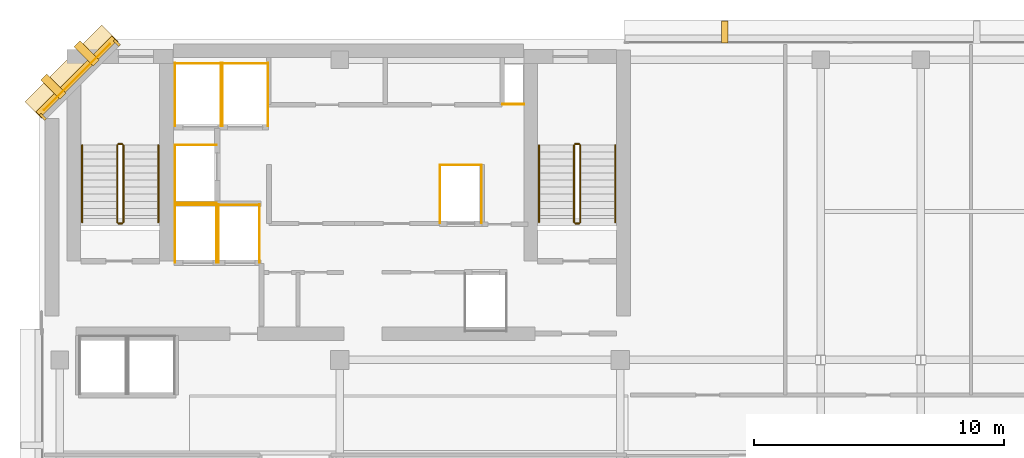
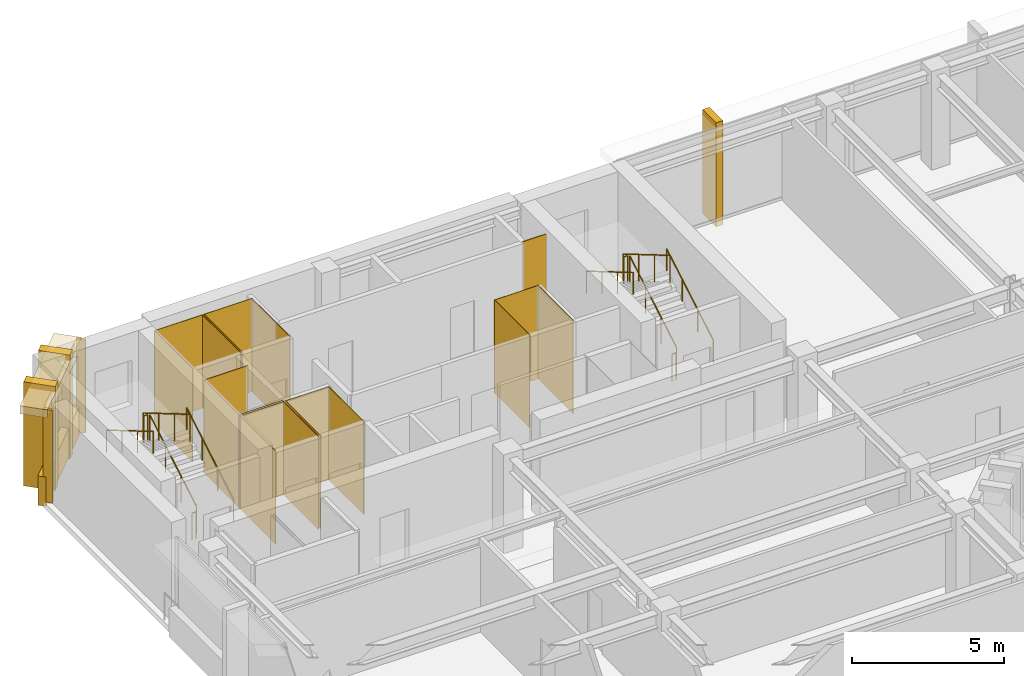
# One storey, part 10 of 11: 27 coverings, 12 railings.
"""IFC4 building model written with IfcOpenShell, lengths in metres."""

from ifc_helpers import new_model, si_unit, direction, frame, origin, origin_2d, place, context, subcontext, project, spatial, polyline, rectangle, circle, outline, extrude, material, layer, layer_set, type_object, element, save


model = new_model("IFC4")

# Units and contexts
model_context = context("Model", 3, precision=1e-05, world=origin(), true_north=direction((0.0, 1.0)))
body_context = subcontext(model_context, "Body", "Model", "MODEL_VIEW")
ifc_project = project(units=[si_unit("LENGTHUNIT", "METRE"), si_unit("AREAUNIT", "SQUARE_METRE"), si_unit("VOLUMEUNIT", "CUBIC_METRE"), si_unit("PLANEANGLEUNIT", "RADIAN"), si_unit("MASSUNIT", "GRAM", prefix="KILO")], contexts=[model_context])

# Site, building, storey
site_placement = place(None, origin())
site = spatial("IfcSite", under=ifc_project, at=site_placement, CompositionType="ELEMENT")
building_placement = place(site_placement, origin())
building = spatial("IfcBuilding", under=site, at=building_placement, Name="Kefirva Bronze Tower", CompositionType="ELEMENT")
storey_placement = place(building_placement, frame((0.0, 0.0, 299.969970703125)))
storey = spatial("IfcBuildingStorey", under=building, at=storey_placement, Name="L73", CompositionType="ELEMENT", Elevation=299.969970703125)

# Coverings
ifc_material_1 = material(Name="Bronze anodised aluminium", Category="aluminium")
ifc_layer_1 = layer(ifc_material_1, 0.02001953125, Name="Bronze anodised aluminium")
ifc_layer_set_1 = layer_set([ifc_layer_1], Name="Bronze anodised aluminium")
covering_type_1 = type_object("IfcCoveringType", Name="Anodised Bronze Spandrel Cladding 20mm", PredefinedType="CLADDING", material=ifc_layer_set_1)
covering_1_placement = place(storey_placement, frame((1.492919921875, 44.507080078125, 3.320068359375), z_axis=(0.0, 0.0, 1.0), x_axis=(-0.707106781187, -0.707106781187, 0.0)))
element("IfcCovering", 1, at=covering_1_placement, inside=storey, type_object=covering_type_1, Name="L73 Bronze Spandrel Cladding 6", PredefinedType="CLADDING", context=body_context, shape_type="SweptSolid", body=[
    extrude(rectangle(XDim=3.719482421875, YDim=0.02001953125, at=origin_2d()), origin(), (0.0, 0.0, 1.0), 0.39990234375),
])
for number, where, z_axis, x_axis, name in (
    (2, (3.08837890625, 45.862060546875, 0.0), (0.0, 0.0, 1.0), (-0.707106781187, -0.707106781187, 0.0), "L73 Facade Joint Closure Panel 6S"),
    (3, (0.137939453125, 42.91162109375, 0.0), (0.0, 0.0, 1.0), (-0.707106781187, -0.707106781187, 0.0), "L73 Facade Joint Closure Panel 6E"),
):
    element("IfcCovering", number, at=place(storey_placement, frame(where, z_axis=z_axis, x_axis=x_axis)), inside=storey, type_object=covering_type_1, Name=name, PredefinedType="CLADDING", context=body_context, shape_type="SweptSolid", body=[
        extrude(rectangle(XDim=0.10009765625, YDim=0.320068359375, at=origin_2d()), origin(), (0.0, 0.0, 1.0), 3.739990234375),
    ])
covering_2_placement = place(storey_placement, frame((1.4716796875, 44.5283203125, -0.16015625), z_axis=(0.0, 0.0, 1.0), x_axis=(-0.707106781187, -0.707106781187, 0.0)))
element("IfcCovering", 4, at=covering_2_placement, inside=storey, type_object=covering_type_1, Name="L73 Streamline Horizontal Spandrel Band 9", PredefinedType="CLADDING", context=body_context, shape_type="SweptSolid", body=[
    extrude(rectangle(XDim=4.28271484375, YDim=0.280029296875, at=origin_2d()), origin(), (0.0, 0.0, 1.0), 1.179931640625),
])
covering_3_placement = place(storey_placement, origin())
element("IfcCovering", 5, at=covering_3_placement, inside=storey, type_object=covering_type_1, Name="L73 Lift FF1 Hoistway Liner N", PredefinedType="CLADDING", context=body_context, shape_type="SweptSolid", body=[
    extrude(outline(polyline([(5.39990234375, 39.389892578125), (7.080078125, 39.389892578125), (7.080078125, 39.409912109375), (5.39990234375, 39.409912109375), (5.39990234375, 39.389892578125)])), origin(), (0.0, 0.0, 1.0), 3.739990234375),
])
covering_4_placement = place(storey_placement, origin())
element("IfcCovering", 6, at=covering_4_placement, inside=storey, type_object=covering_type_1, Name="L73 Lift FF1 Hoistway Liner W", PredefinedType="CLADDING", context=body_context, shape_type="SweptSolid", body=[
    extrude(outline(polyline([(5.409912109375, 37.080078125), (5.429931640625, 37.080078125), (5.429931640625, 39.419921875), (5.409912109375, 39.419921875), (5.409912109375, 37.080078125)])), origin(), (0.0, 0.0, 1.0), 3.739990234375),
])
covering_5_placement = place(storey_placement, origin())
element("IfcCovering", 7, at=covering_5_placement, inside=storey, type_object=covering_type_1, Name="L73 Lift FF1 Hoistway Liner E", PredefinedType="CLADDING", context=body_context, shape_type="SweptSolid", body=[
    extrude(outline(polyline([(7.050048828125, 37.080078125), (7.070068359375, 37.080078125), (7.070068359375, 39.419921875), (7.050048828125, 39.419921875), (7.050048828125, 37.080078125)])), origin(), (0.0, 0.0, 1.0), 3.739990234375),
])
covering_6_placement = place(storey_placement, origin())
element("IfcCovering", 8, at=covering_6_placement, inside=storey, type_object=covering_type_1, Name="L73 Lift FF2 Hoistway Liner N", PredefinedType="CLADDING", context=body_context, shape_type="SweptSolid", body=[
    extrude(outline(polyline([(7.1201171875, 39.389892578125), (8.800048828125, 39.389892578125), (8.800048828125, 39.409912109375), (7.1201171875, 39.409912109375), (7.1201171875, 39.389892578125)])), origin(), (0.0, 0.0, 1.0), 3.739990234375),
])
covering_7_placement = place(storey_placement, origin())
element("IfcCovering", 9, at=covering_7_placement, inside=storey, type_object=covering_type_1, Name="L73 Lift FF2 Hoistway Liner W", PredefinedType="CLADDING", context=body_context, shape_type="SweptSolid", body=[
    extrude(outline(polyline([(7.1298828125, 37.080078125), (7.14990234375, 37.080078125), (7.14990234375, 39.419921875), (7.1298828125, 39.419921875), (7.1298828125, 37.080078125)])), origin(), (0.0, 0.0, 1.0), 3.739990234375),
])
covering_8_placement = place(storey_placement, origin())
element("IfcCovering", 10, at=covering_8_placement, inside=storey, type_object=covering_type_1, Name="L73 Lift FF2 Hoistway Liner E", PredefinedType="CLADDING", context=body_context, shape_type="SweptSolid", body=[
    extrude(outline(polyline([(8.77001953125, 37.080078125), (8.7900390625, 37.080078125), (8.7900390625, 39.419921875), (8.77001953125, 39.419921875), (8.77001953125, 37.080078125)])), origin(), (0.0, 0.0, 1.0), 3.739990234375),
])
covering_9_placement = place(storey_placement, origin())
element("IfcCovering", 11, at=covering_9_placement, inside=storey, type_object=covering_type_1, Name="L73 Lift SV1 Hoistway Liner N", PredefinedType="CLADDING", context=body_context, shape_type="SweptSolid", body=[
    extrude(outline(polyline([(5.39990234375, 45.0400390625), (7.260009765625, 45.0400390625), (7.260009765625, 45.06005859375), (5.39990234375, 45.06005859375), (5.39990234375, 45.0400390625)])), origin(), (0.0, 0.0, 1.0), 3.739990234375),
])
covering_10_placement = place(storey_placement, origin())
element("IfcCovering", 12, at=covering_10_placement, inside=storey, type_object=covering_type_1, Name="L73 Lift SV1 Hoistway Liner W", PredefinedType="CLADDING", context=body_context, shape_type="SweptSolid", body=[
    extrude(outline(polyline([(5.409912109375, 42.530029296875), (5.429931640625, 42.530029296875), (5.429931640625, 45.070068359375), (5.409912109375, 45.070068359375), (5.409912109375, 42.530029296875)])), origin(), (0.0, 0.0, 1.0), 3.739990234375),
])
covering_11_placement = place(storey_placement, origin())
element("IfcCovering", 13, at=covering_11_placement, inside=storey, type_object=covering_type_1, Name="L73 Lift SV1 Hoistway Liner E", PredefinedType="CLADDING", context=body_context, shape_type="SweptSolid", body=[
    extrude(outline(polyline([(7.22998046875, 42.530029296875), (7.25, 42.530029296875), (7.25, 45.070068359375), (7.22998046875, 45.070068359375), (7.22998046875, 42.530029296875)])), origin(), (0.0, 0.0, 1.0), 3.739990234375),
])
covering_12_placement = place(storey_placement, origin())
element("IfcCovering", 14, at=covering_12_placement, inside=storey, type_object=covering_type_1, Name="L73 Lift SV2 Hoistway Liner N", PredefinedType="CLADDING", context=body_context, shape_type="SweptSolid", body=[
    extrude(outline(polyline([(7.280029296875, 45.0400390625), (9.139892578125, 45.0400390625), (9.139892578125, 45.06005859375), (7.280029296875, 45.06005859375), (7.280029296875, 45.0400390625)])), origin(), (0.0, 0.0, 1.0), 3.739990234375),
])
covering_13_placement = place(storey_placement, origin())
element("IfcCovering", 15, at=covering_13_placement, inside=storey, type_object=covering_type_1, Name="L73 Lift SV2 Hoistway Liner W", PredefinedType="CLADDING", context=body_context, shape_type="SweptSolid", body=[
    extrude(outline(polyline([(7.2900390625, 42.530029296875), (7.31005859375, 42.530029296875), (7.31005859375, 45.070068359375), (7.2900390625, 45.070068359375), (7.2900390625, 42.530029296875)])), origin(), (0.0, 0.0, 1.0), 3.739990234375),
])
covering_14_placement = place(storey_placement, origin())
element("IfcCovering", 16, at=covering_14_placement, inside=storey, type_object=covering_type_1, Name="L73 Lift SV2 Hoistway Liner E", PredefinedType="CLADDING", context=body_context, shape_type="SweptSolid", body=[
    extrude(outline(polyline([(9.110107421875, 42.530029296875), (9.1298828125, 42.530029296875), (9.1298828125, 45.070068359375), (9.110107421875, 45.070068359375), (9.110107421875, 42.530029296875)])), origin(), (0.0, 0.0, 1.0), 3.739990234375),
])
covering_15_placement = place(storey_placement, origin())
element("IfcCovering", 17, at=covering_15_placement, inside=storey, type_object=covering_type_1, Name="L73 Lift HP2 Hoistway Liner N", PredefinedType="CLADDING", context=body_context, shape_type="SweptSolid", body=[
    extrude(outline(polyline([(15.97998046875, 40.969970703125), (17.669921875, 40.969970703125), (17.669921875, 40.989990234375), (15.97998046875, 40.989990234375), (15.97998046875, 40.969970703125)])), origin(), (0.0, 0.0, 1.0), 3.739990234375),
])
covering_16_placement = place(storey_placement, origin())
element("IfcCovering", 18, at=covering_16_placement, inside=storey, type_object=covering_type_1, Name="L73 Lift HP2 Hoistway Liner W", PredefinedType="CLADDING", context=body_context, shape_type="SweptSolid", body=[
    extrude(outline(polyline([(15.989990234375, 38.659912109375), (16.010009765625, 38.659912109375), (16.010009765625, 41.0), (15.989990234375, 41.0), (15.989990234375, 38.659912109375)])), origin(), (0.0, 0.0, 1.0), 3.739990234375),
])
covering_17_placement = place(storey_placement, origin())
element("IfcCovering", 19, at=covering_17_placement, inside=storey, type_object=covering_type_1, Name="L73 Lift HP2 Hoistway Liner E", PredefinedType="CLADDING", context=body_context, shape_type="SweptSolid", body=[
    extrude(outline(polyline([(17.639892578125, 38.659912109375), (17.659912109375, 38.659912109375), (17.659912109375, 41.0), (17.639892578125, 41.0), (17.639892578125, 38.659912109375)])), origin(), (0.0, 0.0, 1.0), 3.739990234375),
])
covering_18_placement = place(storey_placement, origin())
element("IfcCovering", 20, at=covering_18_placement, inside=storey, type_object=covering_type_1, Name="L73 Lift HP3 Hoistway Liner N", PredefinedType="CLADDING", context=body_context, shape_type="SweptSolid", body=[
    extrude(outline(polyline([(5.39990234375, 41.77001953125), (7.080078125, 41.77001953125), (7.080078125, 41.7900390625), (5.39990234375, 41.7900390625), (5.39990234375, 41.77001953125)])), origin(), (0.0, 0.0, 1.0), 3.739990234375),
])
covering_19_placement = place(storey_placement, origin())
element("IfcCovering", 21, at=covering_19_placement, inside=storey, type_object=covering_type_1, Name="L73 Lift HP3 Hoistway Liner S", PredefinedType="CLADDING", context=body_context, shape_type="SweptSolid", body=[
    extrude(outline(polyline([(5.39990234375, 39.469970703125), (7.080078125, 39.469970703125), (7.080078125, 39.489990234375), (5.39990234375, 39.489990234375), (5.39990234375, 39.469970703125)])), origin(), (0.0, 0.0, 1.0), 3.739990234375),
])
covering_20_placement = place(storey_placement, origin())
element("IfcCovering", 22, at=covering_20_placement, inside=storey, type_object=covering_type_1, Name="L73 Lift HP3 Hoistway Liner W", PredefinedType="CLADDING", context=body_context, shape_type="SweptSolid", body=[
    extrude(outline(polyline([(5.409912109375, 39.4599609375), (5.429931640625, 39.4599609375), (5.429931640625, 41.800048828125), (5.409912109375, 41.800048828125), (5.409912109375, 39.4599609375)])), origin(), (0.0, 0.0, 1.0), 3.739990234375),
])
covering_21_placement = place(storey_placement, origin())
element("IfcCovering", 23, at=covering_21_placement, inside=storey, type_object=covering_type_1, Name="L73 Core MEP Riser Shaft Liner South", PredefinedType="CLADDING", context=body_context, shape_type="SweptSolid", body=[
    extrude(outline(polyline([(18.47998046875, 43.39990234375), (19.360107421875, 43.39990234375), (19.360107421875, 43.429931640625), (18.47998046875, 43.429931640625), (18.47998046875, 43.39990234375)])), origin(), (0.0, 0.0, 1.0), 3.739990234375),
])

# Railings
ifc_material_2 = material(Name="Stainless steel 316", Category="steel")
railing_type_1 = type_object("IfcRailingType", Name="Interior Stair Guardrail 1100mm", PredefinedType="GUARDRAIL", material=ifc_material_2)
railing_1_placement = place(storey_placement, frame((3.35009765625, 38.699951171875, 0.1650390625)))
element("IfcRailing", 24, at=railing_1_placement, inside=storey, type_object=railing_type_1, Name="L73 ST-1 stair guard 1", PredefinedType="GUARDRAIL", context=body_context, shape_type="SweptSolid", body=[
    extrude(circle(Radius=0.02392578125, at=origin_2d()), frame((0.0, 0.0, 1.076171875), z_axis=(0.0, 0.861551262678, 0.507670583921), x_axis=(-1.0, 0.0, 0.0)), (0.0, 0.0, 1.0), 3.574951171875),
    extrude(circle(Radius=0.02099609375, at=origin_2d()), origin(), (0.0, 0.0, 1.0), 1.052001953125),
    extrude(circle(Radius=0.02099609375, at=origin_2d()), frame((0.0, 1.026611328125, 0.60498046875)), (0.0, 0.0, 1.0), 1.052001953125),
    extrude(circle(Radius=0.02099609375, at=origin_2d()), frame((0.0, 2.053466796875, 1.2099609375)), (0.0, 0.0, 1.0), 1.052001953125),
    extrude(circle(Radius=0.02099609375, at=origin_2d()), frame((0.0, 3.080078125, 1.81494140625)), (0.0, 0.0, 1.0), 1.052001953125),
])
railing_2_placement = place(storey_placement, frame((3.300048828125, 41.830078125, 1.97998046875)))
element("IfcRailing", 25, at=railing_2_placement, inside=storey, type_object=railing_type_1, Name="L73 ST-1 stair guard 2", PredefinedType="GUARDRAIL", context=body_context, shape_type="SweptSolid", body=[
    extrude(circle(Radius=0.02392578125, at=origin_2d()), frame((0.0, 0.0, 1.076171875), z_axis=(-1.0, 0.0, 0.0), x_axis=(0.0, -1.0, 0.0)), (0.0, 0.0, 1.0), 0.150146484375),
    extrude(circle(Radius=0.02099609375, at=origin_2d()), origin(), (0.0, 0.0, 1.0), 1.052001953125),
    extrude(circle(Radius=0.02099609375, at=origin_2d()), frame((-0.150146484375, 0.0, 0.0)), (0.0, 0.0, 1.0), 1.052001953125),
])
railing_3_placement = place(storey_placement, frame((3.10009765625, 41.780029296875, 2.14501953125)))
element("IfcRailing", 26, at=railing_3_placement, inside=storey, type_object=railing_type_1, Name="L73 ST-1 stair guard 3", PredefinedType="GUARDRAIL", context=body_context, shape_type="SweptSolid", body=[
    extrude(circle(Radius=0.02392578125, at=origin_2d()), frame((0.0, 0.0, 1.076171875), z_axis=(0.0, -0.861551262678, 0.507670583921), x_axis=(1.0, 0.0, 0.0)), (0.0, 0.0, 1.0), 3.574951171875),
    extrude(circle(Radius=0.02099609375, at=origin_2d()), origin(), (0.0, 0.0, 1.0), 1.052001953125),
    extrude(circle(Radius=0.02099609375, at=origin_2d()), frame((0.0, -1.026611328125, 0.60498046875)), (0.0, 0.0, 1.0), 1.052001953125),
    extrude(circle(Radius=0.02099609375, at=origin_2d()), frame((0.0, -2.053466796875, 1.2099609375)), (0.0, 0.0, 1.0), 1.052001953125),
    extrude(circle(Radius=0.02099609375, at=origin_2d()), frame((0.0, -3.080078125, 1.81494140625)), (0.0, 0.0, 1.0), 1.052001953125),
])
railing_4_placement = place(storey_placement, frame((3.300048828125, 38.64990234375, 0.0)))
element("IfcRailing", 27, at=railing_4_placement, inside=storey, type_object=railing_type_1, Name="L73 ST-1 stair guard 4", PredefinedType="GUARDRAIL", context=body_context, shape_type="SweptSolid", body=[
    extrude(circle(Radius=0.02392578125, at=origin_2d()), frame((0.0, 0.0, 1.076171875), z_axis=(-1.0, 0.0, 0.0), x_axis=(0.0, -1.0, 0.0)), (0.0, 0.0, 1.0), 0.150146484375),
    extrude(circle(Radius=0.02099609375, at=origin_2d()), origin(), (0.0, 0.0, 1.0), 1.052001953125),
    extrude(circle(Radius=0.02099609375, at=origin_2d()), frame((-0.150146484375, 0.0, 0.0)), (0.0, 0.0, 1.0), 1.052001953125),
])
railing_5_placement = place(storey_placement, frame((21.60009765625, 38.699951171875, 0.1650390625)))
element("IfcRailing", 28, at=railing_5_placement, inside=storey, type_object=railing_type_1, Name="L73 ST-2 stair guard 1", PredefinedType="GUARDRAIL", context=body_context, shape_type="SweptSolid", body=[
    extrude(circle(Radius=0.02392578125, at=origin_2d()), frame((0.0, 0.0, 1.076171875), z_axis=(0.0, 0.861551262678, 0.507670583921), x_axis=(-1.0, 0.0, 0.0)), (0.0, 0.0, 1.0), 3.574951171875),
    extrude(circle(Radius=0.02099609375, at=origin_2d()), origin(), (0.0, 0.0, 1.0), 1.052001953125),
    extrude(circle(Radius=0.02099609375, at=origin_2d()), frame((0.0, 1.026611328125, 0.60498046875)), (0.0, 0.0, 1.0), 1.052001953125),
    extrude(circle(Radius=0.02099609375, at=origin_2d()), frame((0.0, 2.053466796875, 1.2099609375)), (0.0, 0.0, 1.0), 1.052001953125),
    extrude(circle(Radius=0.02099609375, at=origin_2d()), frame((0.0, 3.080078125, 1.81494140625)), (0.0, 0.0, 1.0), 1.052001953125),
])
railing_6_placement = place(storey_placement, frame((21.550048828125, 41.830078125, 1.97998046875)))
element("IfcRailing", 29, at=railing_6_placement, inside=storey, type_object=railing_type_1, Name="L73 ST-2 stair guard 2", PredefinedType="GUARDRAIL", context=body_context, shape_type="SweptSolid", body=[
    extrude(circle(Radius=0.02392578125, at=origin_2d()), frame((0.0, 0.0, 1.076171875), z_axis=(-1.0, 0.0, 0.0), x_axis=(0.0, -1.0, 0.0)), (0.0, 0.0, 1.0), 0.150146484375),
    extrude(circle(Radius=0.02099609375, at=origin_2d()), origin(), (0.0, 0.0, 1.0), 1.052001953125),
    extrude(circle(Radius=0.02099609375, at=origin_2d()), frame((-0.150146484375, 0.0, 0.0)), (0.0, 0.0, 1.0), 1.052001953125),
])
railing_7_placement = place(storey_placement, frame((21.35009765625, 41.780029296875, 2.14501953125)))
element("IfcRailing", 30, at=railing_7_placement, inside=storey, type_object=railing_type_1, Name="L73 ST-2 stair guard 3", PredefinedType="GUARDRAIL", context=body_context, shape_type="SweptSolid", body=[
    extrude(circle(Radius=0.02392578125, at=origin_2d()), frame((0.0, 0.0, 1.076171875), z_axis=(0.0, -0.861551262678, 0.507670583921), x_axis=(1.0, 0.0, 0.0)), (0.0, 0.0, 1.0), 3.574951171875),
    extrude(circle(Radius=0.02099609375, at=origin_2d()), origin(), (0.0, 0.0, 1.0), 1.052001953125),
    extrude(circle(Radius=0.02099609375, at=origin_2d()), frame((0.0, -1.026611328125, 0.60498046875)), (0.0, 0.0, 1.0), 1.052001953125),
    extrude(circle(Radius=0.02099609375, at=origin_2d()), frame((0.0, -2.053466796875, 1.2099609375)), (0.0, 0.0, 1.0), 1.052001953125),
    extrude(circle(Radius=0.02099609375, at=origin_2d()), frame((0.0, -3.080078125, 1.81494140625)), (0.0, 0.0, 1.0), 1.052001953125),
])
railing_8_placement = place(storey_placement, frame((21.550048828125, 38.64990234375, 0.0)))
element("IfcRailing", 31, at=railing_8_placement, inside=storey, type_object=railing_type_1, Name="L73 ST-2 stair guard 4", PredefinedType="GUARDRAIL", context=body_context, shape_type="SweptSolid", body=[
    extrude(circle(Radius=0.02392578125, at=origin_2d()), frame((0.0, 0.0, 1.076171875), z_axis=(-1.0, 0.0, 0.0), x_axis=(0.0, -1.0, 0.0)), (0.0, 0.0, 1.0), 0.150146484375),
    extrude(circle(Radius=0.02099609375, at=origin_2d()), origin(), (0.0, 0.0, 1.0), 1.052001953125),
    extrude(circle(Radius=0.02099609375, at=origin_2d()), frame((-0.150146484375, 0.0, 0.0)), (0.0, 0.0, 1.0), 1.052001953125),
])
railing_type_2 = type_object("IfcRailingType", Name="Stair Pitch Handrail 900mm", PredefinedType="HANDRAIL", material=ifc_material_2)
railing_9_placement = place(storey_placement, frame((4.75, 38.699951171875, 0.1650390625)))
element("IfcRailing", 32, at=railing_9_placement, inside=storey, type_object=railing_type_2, Name="L73 ST-1 stair handrail 1", PredefinedType="HANDRAIL", context=body_context, shape_type="SweptSolid", body=[
    extrude(circle(Radius=0.02392578125, at=origin_2d()), frame((0.0, 0.0, 0.8759765625), z_axis=(0.0, 0.861551262678, 0.507670583921), x_axis=(-1.0, 0.0, 0.0)), (0.0, 0.0, 1.0), 3.574951171875),
    extrude(circle(Radius=0.02099609375, at=origin_2d()), origin(), (0.0, 0.0, 1.0), 0.851806640625),
    extrude(circle(Radius=0.02099609375, at=origin_2d()), frame((0.0, 1.026611328125, 0.60498046875)), (0.0, 0.0, 1.0), 0.851806640625),
    extrude(circle(Radius=0.02099609375, at=origin_2d()), frame((0.0, 2.053466796875, 1.2099609375)), (0.0, 0.0, 1.0), 0.851806640625),
    extrude(circle(Radius=0.02099609375, at=origin_2d()), frame((0.0, 3.080078125, 1.81494140625)), (0.0, 0.0, 1.0), 0.851806640625),
])
railing_10_placement = place(storey_placement, frame((1.699951171875, 41.780029296875, 2.14501953125)))
element("IfcRailing", 33, at=railing_10_placement, inside=storey, type_object=railing_type_2, Name="L73 ST-1 stair handrail 2", PredefinedType="HANDRAIL", context=body_context, shape_type="SweptSolid", body=[
    extrude(circle(Radius=0.02392578125, at=origin_2d()), frame((0.0, 0.0, 0.8759765625), z_axis=(0.0, -0.861551262678, 0.507670583921), x_axis=(1.0, 0.0, 0.0)), (0.0, 0.0, 1.0), 3.574951171875),
    extrude(circle(Radius=0.02099609375, at=origin_2d()), origin(), (0.0, 0.0, 1.0), 0.851806640625),
    extrude(circle(Radius=0.02099609375, at=origin_2d()), frame((0.0, -1.026611328125, 0.60498046875)), (0.0, 0.0, 1.0), 0.851806640625),
    extrude(circle(Radius=0.02099609375, at=origin_2d()), frame((0.0, -2.053466796875, 1.2099609375)), (0.0, 0.0, 1.0), 0.851806640625),
    extrude(circle(Radius=0.02099609375, at=origin_2d()), frame((0.0, -3.080078125, 1.81494140625)), (0.0, 0.0, 1.0), 0.851806640625),
])
railing_11_placement = place(storey_placement, frame((23.0, 38.699951171875, 0.1650390625)))
element("IfcRailing", 34, at=railing_11_placement, inside=storey, type_object=railing_type_2, Name="L73 ST-2 stair handrail 1", PredefinedType="HANDRAIL", context=body_context, shape_type="SweptSolid", body=[
    extrude(circle(Radius=0.02392578125, at=origin_2d()), frame((0.0, 0.0, 0.8759765625), z_axis=(0.0, 0.861551262678, 0.507670583921), x_axis=(-1.0, 0.0, 0.0)), (0.0, 0.0, 1.0), 3.574951171875),
    extrude(circle(Radius=0.02099609375, at=origin_2d()), origin(), (0.0, 0.0, 1.0), 0.851806640625),
    extrude(circle(Radius=0.02099609375, at=origin_2d()), frame((0.0, 1.026611328125, 0.60498046875)), (0.0, 0.0, 1.0), 0.851806640625),
    extrude(circle(Radius=0.02099609375, at=origin_2d()), frame((0.0, 2.053466796875, 1.2099609375)), (0.0, 0.0, 1.0), 0.851806640625),
    extrude(circle(Radius=0.02099609375, at=origin_2d()), frame((0.0, 3.080078125, 1.81494140625)), (0.0, 0.0, 1.0), 0.851806640625),
])
railing_12_placement = place(storey_placement, frame((19.949951171875, 41.780029296875, 2.14501953125)))
element("IfcRailing", 35, at=railing_12_placement, inside=storey, type_object=railing_type_2, Name="L73 ST-2 stair handrail 2", PredefinedType="HANDRAIL", context=body_context, shape_type="SweptSolid", body=[
    extrude(circle(Radius=0.02392578125, at=origin_2d()), frame((0.0, 0.0, 0.8759765625), z_axis=(0.0, -0.861551262678, 0.507670583921), x_axis=(1.0, 0.0, 0.0)), (0.0, 0.0, 1.0), 3.574951171875),
    extrude(circle(Radius=0.02099609375, at=origin_2d()), origin(), (0.0, 0.0, 1.0), 0.851806640625),
    extrude(circle(Radius=0.02099609375, at=origin_2d()), frame((0.0, -1.026611328125, 0.60498046875)), (0.0, 0.0, 1.0), 0.851806640625),
    extrude(circle(Radius=0.02099609375, at=origin_2d()), frame((0.0, -2.053466796875, 1.2099609375)), (0.0, 0.0, 1.0), 0.851806640625),
    extrude(circle(Radius=0.02099609375, at=origin_2d()), frame((0.0, -3.080078125, 1.81494140625)), (0.0, 0.0, 1.0), 0.851806640625),
])

# Coverings
ifc_layer_2 = layer(ifc_material_1, 0.179931640625, Name="Bronze anodised aluminium")
ifc_layer_set_2 = layer_set([ifc_layer_2], Name="Bronze anodised aluminium")
covering_type_2 = type_object("IfcCoveringType", Name="Streamline Bronze Sunshade Eyebrow Cladding 180mm", PredefinedType="CLADDING", material=ifc_layer_set_2)
covering_22_placement = place(storey_placement, frame((1.28076171875, 44.71923828125, 3.419921875), z_axis=(0.0, 0.0, 1.0), x_axis=(-0.707106781187, -0.707106781187, 0.0)))
element("IfcCovering", 36, at=covering_22_placement, inside=storey, type_object=covering_type_2, Name="L73 Streamline Bronze Sunshade Eyebrow 9", PredefinedType="CLADDING", context=body_context, shape_type="SweptSolid", body=[
    extrude(rectangle(XDim=4.322509765625, YDim=0.93994140625, at=origin_2d()), origin(), (0.0, 0.0, 1.0), 0.320068359375),
])
ifc_layer_3 = layer(ifc_material_1, 0.260009765625, Name="Bronze anodised aluminium")
ifc_layer_set_3 = layer_set([ifc_layer_3], Name="Bronze anodised aluminium")
covering_type_3 = type_object("IfcCoveringType", Name="Unbroken Bronze Buttress Fin Cladding 260mm", PredefinedType="CLADDING", material=ifc_layer_set_3)
covering_23_placement = place(storey_placement, frame((27.364013671875, 46.300048828125, -0.2197265625), z_axis=(0.0, 0.0, 1.0), x_axis=(-1.0, 0.0, 0.0)))
element("IfcCovering", 37, at=covering_23_placement, inside=storey, type_object=covering_type_3, Name="L73 Unbroken Vertical Bronze Rib Fin 18", PredefinedType="CLADDING", context=body_context, shape_type="SweptSolid", body=[
    extrude(rectangle(XDim=0.260009765625, YDim=0.8798828125, at=origin_2d()), origin(), (0.0, 0.0, 1.0), 4.179931640625),
])
for number, where, z_axis, x_axis, name in (
    (38, (1.877197265625, 45.44287109375, -0.2197265625), (0.0, 0.0, 1.0), (-0.707106781187, -0.707106781187, 0.0), "L73 Chamfered Corner Buttress Fin Cladding 19"),
    (39, (0.55712890625, 44.122802734375, -0.2197265625), (0.0, 0.0, 1.0), (-0.707106781187, -0.707106781187, 0.0), "L73 Chamfered Corner Buttress Fin Cladding 20"),
):
    element("IfcCovering", number, at=place(storey_placement, frame(where, z_axis=z_axis, x_axis=x_axis)), inside=storey, type_object=covering_type_3, Name=name, PredefinedType="CLADDING", context=body_context, shape_type="SweptSolid", body=[
        extrude(rectangle(XDim=0.340087890625, YDim=1.080078125, at=origin_2d()), origin(), (0.0, 0.0, 1.0), 4.179931640625),
    ])

save(model, "model.ifc")
